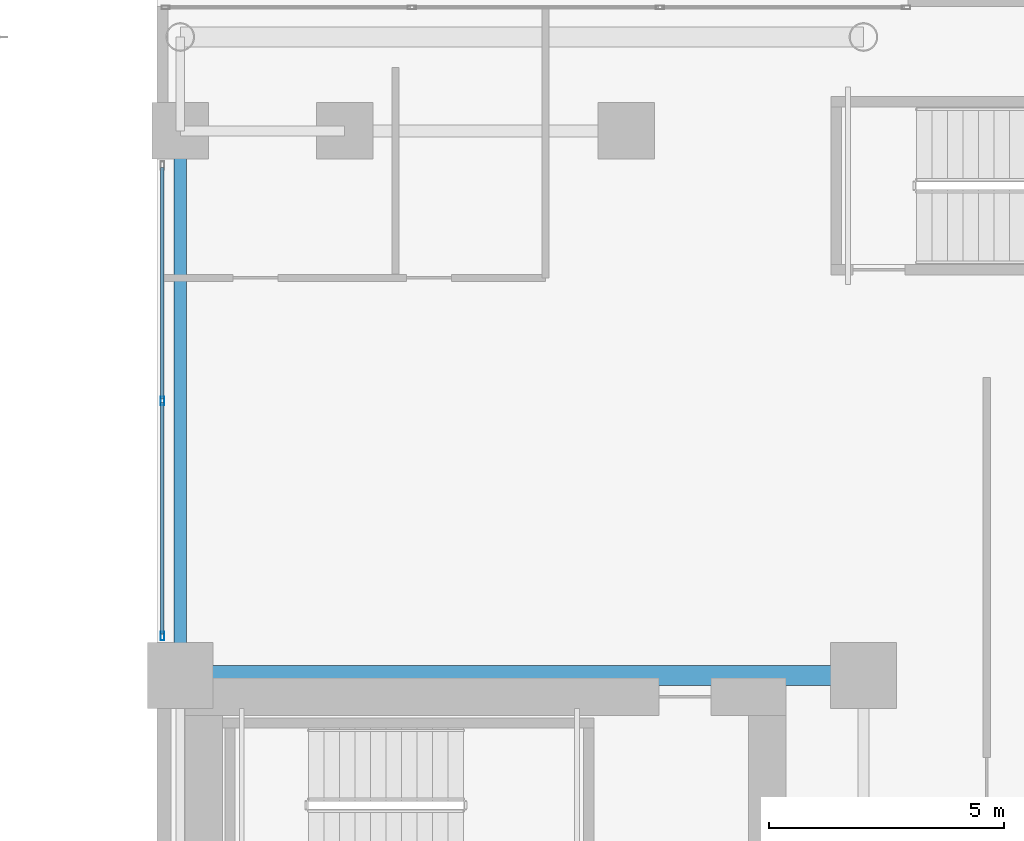
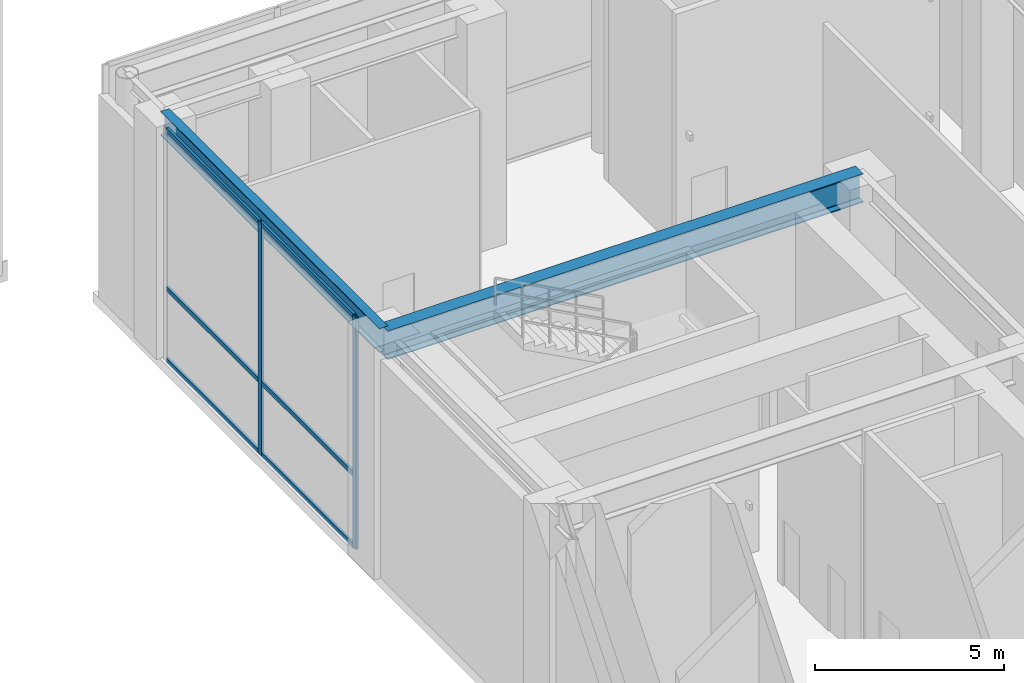
# One storey, part 15 of 29: 8 members, 2 beams, 1 element without a shape of its own.
"""IFC4 building model written with IfcOpenShell, lengths in metres."""

from ifc_helpers import new_model, si_unit, direction, frame, origin, origin_2d, place, context, subcontext, project, spatial, hollow_rectangle, i_section, extrude, source, transform, mapped, material, layer, layer_set, material_profile, profile_set, type_object, element, aggregate, save


model = new_model("IFC4")

# Units and contexts
model_context = context("Model", 3, precision=1e-05, world=origin(), true_north=direction((0.0, 1.0)))
body_context = subcontext(model_context, "Body", "Model", "MODEL_VIEW")
ifc_project = project(units=[si_unit("LENGTHUNIT", "METRE"), si_unit("AREAUNIT", "SQUARE_METRE"), si_unit("VOLUMEUNIT", "CUBIC_METRE"), si_unit("PLANEANGLEUNIT", "RADIAN"), si_unit("MASSUNIT", "GRAM", prefix="KILO")], contexts=[model_context])

# Site, building, storey
site_placement = place(None, origin())
site = spatial("IfcSite", under=ifc_project, at=site_placement, CompositionType="ELEMENT")
building_placement = place(site_placement, origin())
building = spatial("IfcBuilding", under=site, at=building_placement, Name="Ocotamira Hotel", CompositionType="ELEMENT")
storey_placement = place(building_placement, frame((0.0, 0.0, 11.39990234375)))
storey = spatial("IfcBuildingStorey", under=building, at=storey_placement, Name="L03", CompositionType="ELEMENT", Elevation=11.39990234375)

# Beams
ifc_material_1 = material(Name="Steel ASTM A992 Grade 50", Category="steel")
ifc_material_profile_1 = material_profile(ifc_material_1, i_section(OverallWidth=0.41796875, OverallDepth=0.927001953125, WebThickness=0.019287109375, FlangeThickness=0.031982421875, FilletRadius=0.02392578125, at=origin_2d()), Name="W36X231")
ifc_profile_set_1 = profile_set([ifc_material_profile_1], Name="Steel ASTM A992 Grade 50")
beam_type_1 = type_object("IfcBeamType", Name="BM-GIRD-W36X231", PredefinedType="BEAM", material=ifc_profile_set_1)
shared_shape_1 = source(origin(), body_context, "Body", "SweptSolid", [
    extrude(i_section(OverallWidth=0.41796875, OverallDepth=0.927001953125, WebThickness=0.019287109375, FlangeThickness=0.031982421875, FilletRadius=0.02392578125, at=origin_2d()), origin(), (0.0, 0.0, 1.0), 14.550048828125),
])
beam_1_placement = place(storey_placement, frame((40.5, 37.449951171875, 7.046630859375), z_axis=(1.0, 0.0, 0.0), x_axis=(0.0, 1.0, 0.0)))
element("IfcBeam", 1, at=beam_1_placement, inside=storey, type_object=beam_type_1, Name="L03 Girder Y37.45 X40.5-55.05", PredefinedType="BEAM", context=body_context, shape_type="MappedRepresentation", body=[
    mapped(shared_shape_1, transform((0.0, 0.0, 0.0), scale=1.0)),
])
ifc_material_profile_2 = material_profile(ifc_material_1, i_section(OverallWidth=0.26611328125, OverallDepth=0.779052734375, WebThickness=0.0166015625, FlangeThickness=0.030029296875, FilletRadius=0.01806640625, at=origin_2d()), Name="W30X148")
ifc_profile_set_2 = profile_set([ifc_material_profile_2], Name="Steel ASTM A992 Grade 50")
beam_type_2 = type_object("IfcBeamType", Name="BM-GIRD-W30X148", PredefinedType="BEAM", material=ifc_profile_set_2)
shared_shape_2 = source(origin(), body_context, "Body", "SweptSolid", [
    extrude(i_section(OverallWidth=0.26611328125, OverallDepth=0.779052734375, WebThickness=0.0166015625, FlangeThickness=0.030029296875, FilletRadius=0.01806640625, at=origin_2d()), origin(), (0.0, 0.0, 1.0), 11.60009765625),
])
beam_2_placement = place(storey_placement, frame((40.5, 37.449951171875, 7.12060546875), z_axis=(0.0, 1.0, 0.0), x_axis=(-1.0, 0.0, 0.0)))
element("IfcBeam", 2, at=beam_2_placement, inside=storey, type_object=beam_type_2, Name="L03 Beam X40.5 Y37.45-49.05", PredefinedType="BEAM", context=body_context, shape_type="MappedRepresentation", body=[
    mapped(shared_shape_2, transform((0.0, 0.0, 0.0), scale=1.0)),
])

# Curtain wall, members
ifc_material_2 = material(Name="Anodised pale-metal aluminium and solar glass", Category="aluminium")
ifc_layer = layer(ifc_material_2, 0.219970703125)
ifc_layer_set = layer_set([ifc_layer], Name="Anodised pale-metal aluminium and solar glass")
curtain_wall_type = type_object("IfcCurtainWallType", Name="CW-SYS1-POD", PredefinedType="NOTDEFINED", material=ifc_layer_set)
curtain_wall_placement = place(storey_placement, origin())
curtain_wall = element("IfcCurtainWall", 3, at=curtain_wall_placement, inside=storey, type_object=curtain_wall_type, Name="L03 Curtain Wall CW-1 CW-L03-AE-N", PredefinedType="NOTDEFINED")
ifc_material_3 = material(Name="Anodised pale-metal aluminium 6063-T6", Category="aluminium")
ifc_material_profile_3 = material_profile(ifc_material_3, hollow_rectangle(XDim=0.074951171875, YDim=0.14990234375, WallThickness=0.006103515625, at=origin_2d()), Name="HSS150X75X6")
ifc_profile_set_3 = profile_set([ifc_material_profile_3], Name="Anodised pale-metal aluminium 6063-T6")
member_type_1 = type_object("IfcMemberType", Name="CWT-150X75", PredefinedType="USERDEFINED", material=ifc_profile_set_3)
shared_shape_3 = source(origin(), body_context, "Body", "SweptSolid", [
    extrude(hollow_rectangle(XDim=0.074951171875, YDim=0.14990234375, WallThickness=0.006103515625, at=origin_2d()), origin(), (0.0, 0.0, 1.0), 4.929931640625),
])
member_1_placement = place(storey_placement, frame((40.1201171875, 38.330078125, 0.03759765625), z_axis=(0.0, 1.0, 0.0), x_axis=(-1.0, 0.0, 0.0)))
member_1 = element("IfcMember", 4, at=member_1_placement, type_object=member_type_1, Name="CW-1 transom 1.1", ObjectType="TRANSOM", PredefinedType="USERDEFINED", context=body_context, shape_type="MappedRepresentation", body=[
    mapped(shared_shape_3, transform((0.0, 0.0, 0.0), scale=1.0)),
])
member_2_placement = place(storey_placement, frame((40.1201171875, 38.330078125, 2.35009765625), z_axis=(0.0, 1.0, 0.0), x_axis=(-1.0, 0.0, 0.0)))
member_2 = element("IfcMember", 5, at=member_2_placement, type_object=member_type_1, Name="CW-1 transom 1.2", ObjectType="TRANSOM", PredefinedType="USERDEFINED", context=body_context, shape_type="MappedRepresentation", body=[
    mapped(shared_shape_3, transform((0.0, 0.0, 0.0), scale=1.0)),
])
member_3_placement = place(storey_placement, frame((40.1201171875, 38.330078125, 7.47265625), z_axis=(0.0, 1.0, 0.0), x_axis=(-1.0, 0.0, 0.0)))
member_3 = element("IfcMember", 6, at=member_3_placement, type_object=member_type_1, Name="CW-1 transom 1.3", ObjectType="TRANSOM", PredefinedType="USERDEFINED", context=body_context, shape_type="MappedRepresentation", body=[
    mapped(shared_shape_3, transform((0.0, 0.0, 0.0), scale=1.0)),
])
member_4_placement = place(storey_placement, frame((40.1201171875, 43.340087890625, 0.03759765625), z_axis=(0.0, 1.0, 0.0), x_axis=(-1.0, 0.0, 0.0)))
member_4 = element("IfcMember", 7, at=member_4_placement, type_object=member_type_1, Name="CW-1 transom 2.1", ObjectType="TRANSOM", PredefinedType="USERDEFINED", context=body_context, shape_type="MappedRepresentation", body=[
    mapped(shared_shape_3, transform((0.0, 0.0, 0.0), scale=1.0)),
])
member_5_placement = place(storey_placement, frame((40.1201171875, 43.340087890625, 2.35009765625), z_axis=(0.0, 1.0, 0.0), x_axis=(-1.0, 0.0, 0.0)))
member_5 = element("IfcMember", 8, at=member_5_placement, type_object=member_type_1, Name="CW-1 transom 2.2", ObjectType="TRANSOM", PredefinedType="USERDEFINED", context=body_context, shape_type="MappedRepresentation", body=[
    mapped(shared_shape_3, transform((0.0, 0.0, 0.0), scale=1.0)),
])
member_6_placement = place(storey_placement, frame((40.1201171875, 43.340087890625, 7.47265625), z_axis=(0.0, 1.0, 0.0), x_axis=(-1.0, 0.0, 0.0)))
member_6 = element("IfcMember", 9, at=member_6_placement, type_object=member_type_1, Name="CW-1 transom 2.3", ObjectType="TRANSOM", PredefinedType="USERDEFINED", context=body_context, shape_type="MappedRepresentation", body=[
    mapped(shared_shape_3, transform((0.0, 0.0, 0.0), scale=1.0)),
])
ifc_material_profile_4 = material_profile(ifc_material_3, hollow_rectangle(XDim=0.080078125, YDim=0.179931640625, WallThickness=0.006103515625, at=origin_2d()), Name="HSS180X80X6")
ifc_profile_set_4 = profile_set([ifc_material_profile_4], Name="Anodised pale-metal aluminium 6063-T6")
member_type_2 = type_object("IfcMemberType", Name="CWM-180X75", PredefinedType="MULLION", material=ifc_profile_set_4)
shared_shape_4 = source(origin(), body_context, "Body", "SweptSolid", [
    extrude(hollow_rectangle(XDim=0.080078125, YDim=0.179931640625, WallThickness=0.006103515625, at=origin_2d()), origin(), (0.0, 0.0, 1.0), 7.510009765625),
])
member_7_placement = place(storey_placement, frame((40.1201171875, 38.2900390625, 0.0), z_axis=(0.0, 0.0, 1.0), x_axis=(-1.0, 0.0, 0.0)))
member_7 = element("IfcMember", 10, at=member_7_placement, type_object=member_type_2, Name="CW-1 mullion 1", PredefinedType="MULLION", context=body_context, shape_type="MappedRepresentation", body=[
    mapped(shared_shape_4, transform((0.0, 0.0, 0.0), scale=1.0)),
])
member_8_placement = place(storey_placement, frame((40.1201171875, 43.300048828125, 0.0), z_axis=(0.0, 0.0, 1.0), x_axis=(-1.0, 0.0, 0.0)))
member_8 = element("IfcMember", 11, at=member_8_placement, type_object=member_type_2, Name="CW-1 mullion 2", PredefinedType="MULLION", context=body_context, shape_type="MappedRepresentation", body=[
    mapped(shared_shape_4, transform((0.0, 0.0, 0.0), scale=1.0)),
])
aggregate(curtain_wall, [member_7, member_8, member_1, member_2, member_3, member_4, member_5, member_6])

save(model, "model.ifc")
